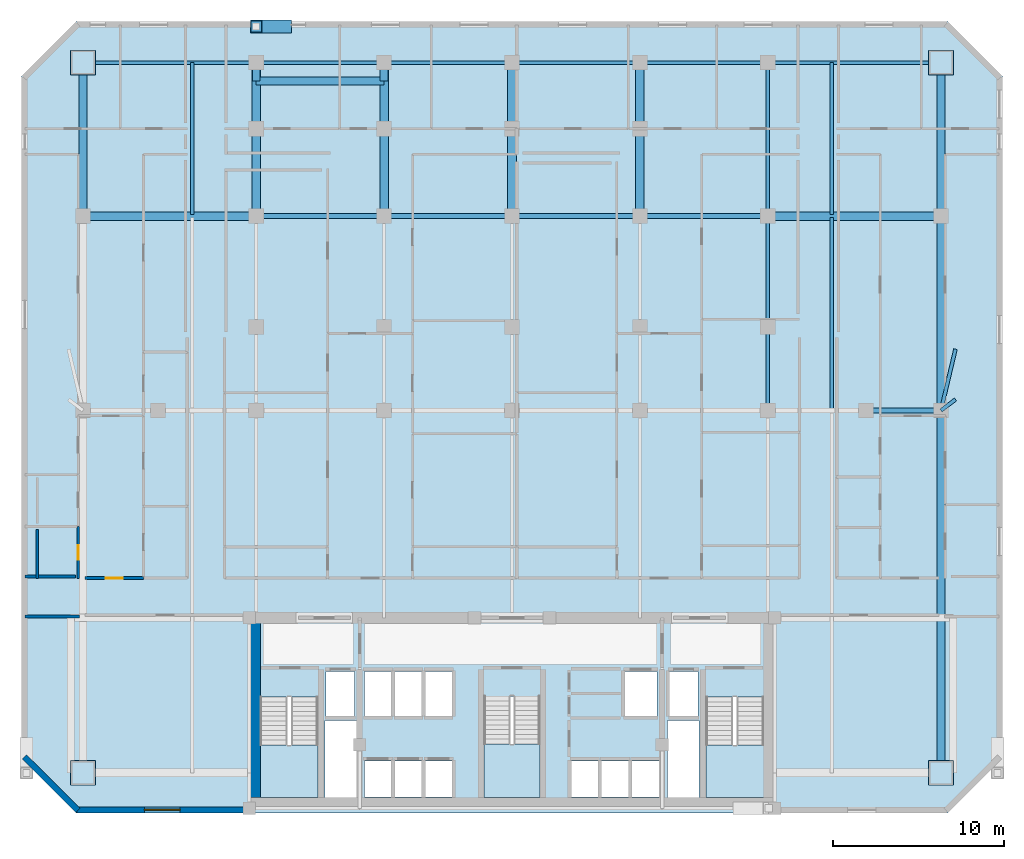
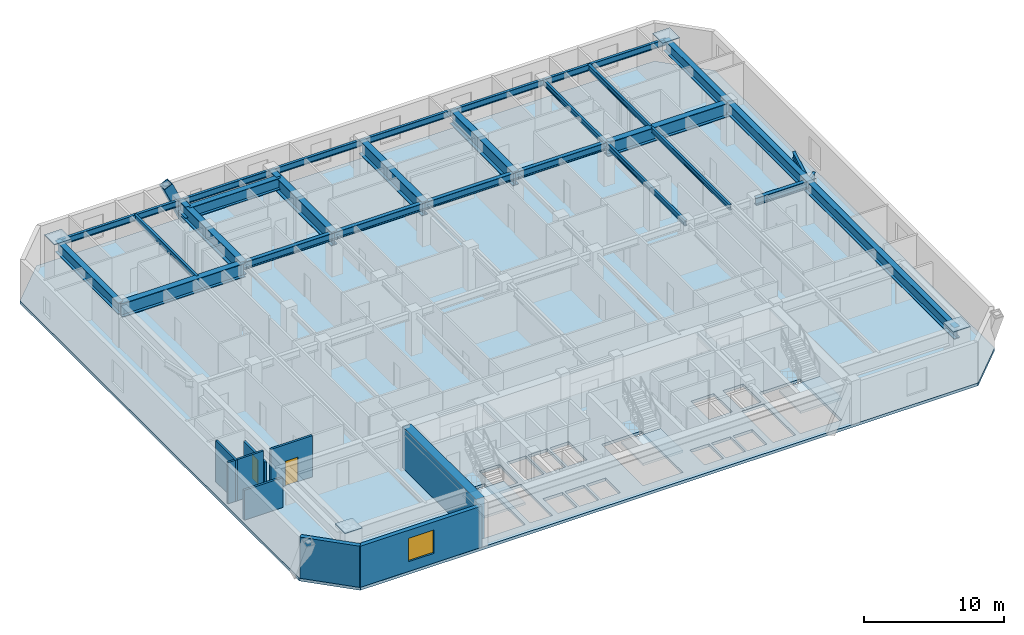
# One storey, part 2 of 10: 30 beams, 8 walls, 4 plates, 4 slabs, 2 doors, 1 member, 1 window, 3 openings, 3 elements without a shape of their own.
"""IFC4 building model written with IfcOpenShell, lengths in metres."""

from ifc_helpers import new_model, si_unit, direction, frame, frame_2d, origin, origin_2d, place, context, subcontext, project, spatial, polyline, rectangle, hollow_rectangle, i_section, outline, extrude, material, layer, layer_set, material_profile, profile_set, type_object, element, fill, aggregate, save


model = new_model("IFC4")

# Units and contexts
model_context = context("Model", 3, precision=1e-05, world=origin(), true_north=direction((0.0, 1.0)))
body_context = subcontext(model_context, "Body", "Model", "MODEL_VIEW")
ifc_project = project(units=[si_unit("LENGTHUNIT", "METRE"), si_unit("AREAUNIT", "SQUARE_METRE"), si_unit("VOLUMEUNIT", "CUBIC_METRE"), si_unit("PLANEANGLEUNIT", "RADIAN"), si_unit("MASSUNIT", "GRAM", prefix="KILO")], contexts=[model_context])

# Site, building, storey
site_placement = place(None, origin())
site = spatial("IfcSite", under=ifc_project, at=site_placement, CompositionType="ELEMENT")
building_placement = place(site_placement, origin())
building = spatial("IfcBuilding", under=site, at=building_placement, Name="Ventersveld Concourse Tower", CompositionType="ELEMENT")
storey_placement = place(building_placement, frame((0.0, 0.0, 88.75)))
storey = spatial("IfcBuildingStorey", under=building, at=storey_placement, Name="L21", CompositionType="ELEMENT", Elevation=88.75)

# Beams
ifc_material_1 = material(Name="Structural steel S355J2", Category="steel")
ifc_material_profile_1 = material_profile(ifc_material_1, i_section(OverallWidth=0.19140625, OverallDepth=0.4599609375, WebThickness=0.010009765625, FlangeThickness=0.01611328125, FilletRadius=0.01025390625, at=origin_2d()), Name="UB 457x191x82")
ifc_profile_set_1 = profile_set([ifc_material_profile_1], Name="Structural steel S355J2")
beam_type_1 = type_object("IfcBeamType", Name="BM-UB457H", PredefinedType="BEAM", material=ifc_profile_set_1)
beam_1_placement = place(storey_placement, frame((10.0, 35.094970703125, 3.3701171875), z_axis=(0.0, 1.0, 0.0), x_axis=(-1.0, 0.0, 0.0)))
element("IfcBeam", 1, at=beam_1_placement, inside=storey, type_object=beam_type_1, Name="L21 N-S Composite Floor Beam North X=10.00", PredefinedType="BEAM", context=body_context, shape_type="SweptSolid", body=[
    extrude(i_section(OverallWidth=0.19140625, OverallDepth=0.4599609375, WebThickness=0.010009765625, FlangeThickness=0.01611328125, FilletRadius=0.01025390625, at=origin_2d()), origin(), (0.0, 0.0, 1.0), 8.905029296875),
])
beam_2_placement = place(storey_placement, frame((43.75, 23.60009765625, 3.3701171875), z_axis=(0.0, 1.0, 0.0), x_axis=(-1.0, 0.0, 0.0)))
element("IfcBeam", 2, at=beam_2_placement, inside=storey, type_object=beam_type_1, Name="L21 N-S Composite Floor Beam Mid X=43.75", PredefinedType="BEAM", context=body_context, shape_type="SweptSolid", body=[
    extrude(i_section(OverallWidth=0.19140625, OverallDepth=0.4599609375, WebThickness=0.010009765625, FlangeThickness=0.01611328125, FilletRadius=0.01025390625, at=origin_2d()), origin(), (0.0, 0.0, 1.0), 11.39990234375),
])
beam_3_placement = place(storey_placement, frame((43.75, 35.0, 3.3701171875), z_axis=(0.0, 1.0, 0.0), x_axis=(-1.0, 0.0, 0.0)))
element("IfcBeam", 3, at=beam_3_placement, inside=storey, type_object=beam_type_1, Name="L21 N-S Composite Floor Beam North X=43.75", PredefinedType="BEAM", context=body_context, shape_type="SweptSolid", body=[
    extrude(i_section(OverallWidth=0.19140625, OverallDepth=0.4599609375, WebThickness=0.010009765625, FlangeThickness=0.01611328125, FilletRadius=0.01025390625, at=origin_2d()), origin(), (0.0, 0.0, 1.0), 9.0),
])
beam_4_placement = place(storey_placement, frame((47.5, 23.695068359375, 3.3701171875), z_axis=(0.0, 1.0, 0.0), x_axis=(-1.0, 0.0, 0.0)))
element("IfcBeam", 4, at=beam_4_placement, inside=storey, type_object=beam_type_1, Name="L21 N-S Composite Floor Beam Mid X=47.50", PredefinedType="BEAM", context=body_context, shape_type="SweptSolid", body=[
    extrude(i_section(OverallWidth=0.19140625, OverallDepth=0.4599609375, WebThickness=0.010009765625, FlangeThickness=0.01611328125, FilletRadius=0.01025390625, at=origin_2d()), origin(), (0.0, 0.0, 1.0), 11.2099609375),
])
beam_5_placement = place(storey_placement, frame((47.5, 35.094970703125, 3.3701171875), z_axis=(0.0, 1.0, 0.0), x_axis=(-1.0, 0.0, 0.0)))
element("IfcBeam", 5, at=beam_5_placement, inside=storey, type_object=beam_type_1, Name="L21 N-S Composite Floor Beam North X=47.50", PredefinedType="BEAM", context=body_context, shape_type="SweptSolid", body=[
    extrude(i_section(OverallWidth=0.19140625, OverallDepth=0.4599609375, WebThickness=0.010009765625, FlangeThickness=0.01611328125, FilletRadius=0.01025390625, at=origin_2d()), origin(), (0.0, 0.0, 1.0), 8.905029296875),
])
ifc_material_profile_2 = material_profile(ifc_material_1, i_section(OverallWidth=0.311279296875, OverallDepth=0.6357421875, WebThickness=0.018310546875, FlangeThickness=0.031494140625, FilletRadius=0.0166015625, at=origin_2d()), Name="UB 610x305x238")
ifc_profile_set_2 = profile_set([ifc_material_profile_2], Name="Structural steel S355J2")
beam_type_2 = type_object("IfcBeamType", Name="GRD-UB610H", PredefinedType="USERDEFINED", material=ifc_profile_set_2)
beam_6_placement = place(storey_placement, frame((49.5, 23.60009765625, 3.281982421875), z_axis=(1.0, 0.0, 0.0), x_axis=(0.0, 1.0, 0.0)))
element("IfcBeam", 6, at=beam_6_placement, inside=storey, type_object=beam_type_2, Name="L21 Primary E-W Grid Girder Y=23.60 #8", ObjectType="GIRDER", PredefinedType="USERDEFINED", context=body_context, shape_type="SweptSolid", body=[
    extrude(i_section(OverallWidth=0.311279296875, OverallDepth=0.6357421875, WebThickness=0.018310546875, FlangeThickness=0.031494140625, FilletRadius=0.0166015625, at=origin_2d()), origin(), (0.0, 0.0, 1.0), 4.39990234375),
])
for number, where, z_axis, x_axis, name in (
    (7, (13.75, 35.0, 3.281982421875), (1.0, 0.0, 0.0), (0.0, 1.0, 0.0), "L21 E-W Grid Girder Y=35.00 #2"),
    (8, (21.25, 35.0, 3.281982421875), (1.0, 0.0, 0.0), (0.0, 1.0, 0.0), "L21 E-W Grid Girder Y=35.00 #3"),
    (9, (28.75, 35.0, 3.281982421875), (1.0, 0.0, 0.0), (0.0, 1.0, 0.0), "L21 E-W Grid Girder Y=35.00 #4"),
    (10, (36.25, 35.0, 3.281982421875), (1.0, 0.0, 0.0), (0.0, 1.0, 0.0), "L21 E-W Grid Girder Y=35.00 #5"),
):
    element("IfcBeam", number, at=place(storey_placement, frame(where, z_axis=z_axis, x_axis=x_axis)), inside=storey, type_object=beam_type_2, Name=name, ObjectType="GIRDER", PredefinedType="USERDEFINED", context=body_context, shape_type="SweptSolid", body=[
        extrude(i_section(OverallWidth=0.311279296875, OverallDepth=0.6357421875, WebThickness=0.018310546875, FlangeThickness=0.031494140625, FilletRadius=0.0166015625, at=origin_2d()), origin(), (0.0, 0.0, 1.0), 7.5),
    ])

# Member
ifc_material_2 = material(Name="Structural steel S355ML", Category="steel")
ifc_material_profile_3 = material_profile(ifc_material_2, hollow_rectangle(XDim=0.75, YDim=0.75, WallThickness=0.044921875, at=origin_2d()), Name="BOX 750x750x45")
ifc_profile_set_3 = profile_set([ifc_material_profile_3], Name="Structural steel S355ML")
member_type = type_object("IfcMemberType", Name="MB-750x750", PredefinedType="BRACE", material=ifc_profile_set_3)
member_placement = place(storey_placement, frame((15.489501953125, 46.1201171875, -0.25), z_axis=(-0.411733807219, 0.0, 0.911304159978), x_axis=(0.0, -1.0, 0.0)))
element("IfcMember", 11, at=member_placement, inside=storey, type_object=member_type, Name="L21 Exterior Mega-Brace N (Module M04)", PredefinedType="BRACE", context=body_context, shape_type="SweptSolid", body=[
    extrude(hollow_rectangle(XDim=0.75, YDim=0.75, WallThickness=0.044921875, at=origin_2d()), origin(), (0.0, 0.0, 1.0), 4.224853515625),
])

# Beams
ifc_material_profile_4 = material_profile(ifc_material_1, i_section(OverallWidth=0.2119140625, OverallDepth=0.54443359375, WebThickness=0.0126953125, FlangeThickness=0.021240234375, FilletRadius=0.0126953125, at=origin_2d()), Name="UB 533x210x122")
ifc_profile_set_4 = profile_set([ifc_material_profile_4], Name="Structural steel S355J2")
beam_type_3 = type_object("IfcBeamType", Name="SPD-UB533", PredefinedType="SPANDREL", material=ifc_profile_set_4)
beam_7_placement = place(storey_placement, frame((53.89990234375, 23.60009765625, 3.32763671875), z_axis=(0.794435538643, 0.607348478997, 0.0), x_axis=(-0.607348478997, 0.794435538643, 0.0)))
element("IfcBeam", 12, at=beam_7_placement, inside=storey, type_object=beam_type_3, Name="L21 East Valley Corner Bracket 1", PredefinedType="SPANDREL", context=body_context, shape_type="SweptSolid", body=[
    extrude(i_section(OverallWidth=0.2119140625, OverallDepth=0.54443359375, WebThickness=0.0126953125, FlangeThickness=0.021240234375, FilletRadius=0.0126953125, at=origin_2d()), origin(), (0.0, 0.0, 1.0), 1.070068359375),
])
beam_8_placement = place(storey_placement, frame((53.89990234375, 23.60009765625, 3.32763671875), z_axis=(0.229826547993, 0.973231605445, 0.0), x_axis=(-0.973231605445, 0.229826547993, 0.0)))
element("IfcBeam", 13, at=beam_8_placement, inside=storey, type_object=beam_type_3, Name="L21 East Valley Corner Bracket 2", PredefinedType="SPANDREL", context=body_context, shape_type="SweptSolid", body=[
    extrude(i_section(OverallWidth=0.2119140625, OverallDepth=0.54443359375, WebThickness=0.0126953125, FlangeThickness=0.021240234375, FilletRadius=0.0126953125, at=origin_2d()), origin(), (0.0, 0.0, 1.0), 3.698974609375),
])
beam_9_placement = place(storey_placement, frame((3.60009765625, 44.0, 3.32763671875), z_axis=(1.0, 0.0, 0.0), x_axis=(0.0, 1.0, 0.0)))
element("IfcBeam", 14, at=beam_9_placement, inside=storey, type_object=beam_type_3, Name="L21 North Spandrel Girder Y=44.00 #1", PredefinedType="SPANDREL", context=body_context, shape_type="SweptSolid", body=[
    extrude(i_section(OverallWidth=0.2119140625, OverallDepth=0.54443359375, WebThickness=0.0126953125, FlangeThickness=0.021240234375, FilletRadius=0.0126953125, at=origin_2d()), origin(), (0.0, 0.0, 1.0), 10.14990234375),
])
for number, where, z_axis, x_axis, name in (
    (15, (13.75, 44.0, 3.32763671875), (1.0, 0.0, 0.0), (0.0, 1.0, 0.0), "L21 North Spandrel Girder Y=44.00 #2"),
    (16, (21.25, 44.0, 3.32763671875), (1.0, 0.0, 0.0), (0.0, 1.0, 0.0), "L21 North Spandrel Girder Y=44.00 #3"),
    (17, (28.75, 44.0, 3.32763671875), (1.0, 0.0, 0.0), (0.0, 1.0, 0.0), "L21 North Spandrel Girder Y=44.00 #4"),
    (18, (36.25, 44.0, 3.32763671875), (1.0, 0.0, 0.0), (0.0, 1.0, 0.0), "L21 North Spandrel Girder Y=44.00 #5"),
):
    element("IfcBeam", number, at=place(storey_placement, frame(where, z_axis=z_axis, x_axis=x_axis)), inside=storey, type_object=beam_type_3, Name=name, PredefinedType="SPANDREL", context=body_context, shape_type="SweptSolid", body=[
        extrude(i_section(OverallWidth=0.2119140625, OverallDepth=0.54443359375, WebThickness=0.0126953125, FlangeThickness=0.021240234375, FilletRadius=0.0126953125, at=origin_2d()), origin(), (0.0, 0.0, 1.0), 7.5),
    ])
beam_10_placement = place(storey_placement, frame((43.75, 44.0, 3.32763671875), z_axis=(1.0, 0.0, 0.0), x_axis=(0.0, 1.0, 0.0)))
element("IfcBeam", 19, at=beam_10_placement, inside=storey, type_object=beam_type_3, Name="L21 North Spandrel Girder Y=44.00 #6", PredefinedType="SPANDREL", context=body_context, shape_type="SweptSolid", body=[
    extrude(i_section(OverallWidth=0.2119140625, OverallDepth=0.54443359375, WebThickness=0.0126953125, FlangeThickness=0.021240234375, FilletRadius=0.0126953125, at=origin_2d()), origin(), (0.0, 0.0, 1.0), 10.14990234375),
])
ifc_material_3 = material(Name="Structural steel S460ML", Category="steel")
ifc_material_profile_5 = material_profile(ifc_material_3, i_section(OverallWidth=0.449951171875, OverallDepth=1.0, WebThickness=0.02392578125, FlangeThickness=0.0400390625, at=origin_2d()), Name="PG 1000x450x40")
ifc_profile_set_5 = profile_set([ifc_material_profile_5], Name="Structural steel S460ML")
beam_type_4 = type_object("IfcBeamType", Name="TG-PG1000", PredefinedType="USERDEFINED", material=ifc_profile_set_5)
beam_11_placement = place(storey_placement, frame((3.60009765625, 35.0, 3.10009765625), z_axis=(0.0, 1.0, 0.0), x_axis=(-1.0, 0.0, 0.0)))
element("IfcBeam", 20, at=beam_11_placement, inside=storey, type_object=beam_type_4, Name="L21 West Edge Support Girder N", ObjectType="TRANSFER_GIRDER", PredefinedType="USERDEFINED", context=body_context, shape_type="SweptSolid", body=[
    extrude(i_section(OverallWidth=0.449951171875, OverallDepth=1.0, WebThickness=0.02392578125, FlangeThickness=0.0400390625, at=origin_2d()), origin(), (0.0, 0.0, 1.0), 9.0),
])
beam_12_placement = place(storey_placement, frame((53.89990234375, 2.35009765625, 3.10009765625), z_axis=(0.0, 1.0, 0.0), x_axis=(-1.0, 0.0, 0.0)))
element("IfcBeam", 21, at=beam_12_placement, inside=storey, type_object=beam_type_4, Name="L21 East Edge Support Girder S", ObjectType="TRANSFER_GIRDER", PredefinedType="USERDEFINED", context=body_context, shape_type="SweptSolid", body=[
    extrude(i_section(OverallWidth=0.449951171875, OverallDepth=1.0, WebThickness=0.02392578125, FlangeThickness=0.0400390625, at=origin_2d()), origin(), (0.0, 0.0, 1.0), 32.64990234375),
])
beam_13_placement = place(storey_placement, frame((53.89990234375, 35.0, 3.10009765625), z_axis=(0.0, 1.0, 0.0), x_axis=(-1.0, 0.0, 0.0)))
element("IfcBeam", 22, at=beam_13_placement, inside=storey, type_object=beam_type_4, Name="L21 East Edge Support Girder N", ObjectType="TRANSFER_GIRDER", PredefinedType="USERDEFINED", context=body_context, shape_type="SweptSolid", body=[
    extrude(i_section(OverallWidth=0.449951171875, OverallDepth=1.0, WebThickness=0.02392578125, FlangeThickness=0.0400390625, at=origin_2d()), origin(), (0.0, 0.0, 1.0), 9.0),
])
for number, where, z_axis, x_axis, name in (
    (23, (13.75, 44.0, 3.10009765625), (0.0, -1.0, 0.0), (1.0, 0.0, 0.0), "L21 North Perimeter Setback Tie 1"),
    (24, (21.25, 44.0, 3.10009765625), (0.0, -1.0, 0.0), (1.0, 0.0, 0.0), "L21 North Perimeter Setback Tie 2"),
):
    element("IfcBeam", number, at=place(storey_placement, frame(where, z_axis=z_axis, x_axis=x_axis)), inside=storey, type_object=beam_type_4, Name=name, ObjectType="TRANSFER_GIRDER", PredefinedType="USERDEFINED", context=body_context, shape_type="SweptSolid", body=[
        extrude(i_section(OverallWidth=0.449951171875, OverallDepth=1.0, WebThickness=0.02392578125, FlangeThickness=0.0400390625, at=origin_2d()), origin(), (0.0, 0.0, 1.0), 1.080078125),
    ])
beam_14_placement = place(storey_placement, frame((13.75, 42.919921875, 3.10009765625), z_axis=(1.0, 0.0, 0.0), x_axis=(0.0, 1.0, 0.0)))
element("IfcBeam", 25, at=beam_14_placement, inside=storey, type_object=beam_type_4, Name="L21 North Perimeter Setback Girder", ObjectType="TRANSFER_GIRDER", PredefinedType="USERDEFINED", context=body_context, shape_type="SweptSolid", body=[
    extrude(i_section(OverallWidth=0.449951171875, OverallDepth=1.0, WebThickness=0.02392578125, FlangeThickness=0.0400390625, at=origin_2d()), origin(), (0.0, 0.0, 1.0), 7.5),
])
ifc_material_profile_6 = material_profile(ifc_material_3, i_section(OverallWidth=0.5, OverallDepth=1.199951171875, WebThickness=0.028076171875, FlangeThickness=0.044921875, at=origin_2d()), Name="PG 1200x500x45")
ifc_profile_set_6 = profile_set([ifc_material_profile_6], Name="Structural steel S460ML")
beam_type_5 = type_object("IfcBeamType", Name="TG-PG1200", PredefinedType="USERDEFINED", material=ifc_profile_set_6)
for number, where, z_axis, x_axis, name in (
    (26, (3.60009765625, 35.0, 3.0), (1.0, 0.0, 0.0), (0.0, 1.0, 0.0), "L21 NW Mega-Column Transfer Girder"),
    (27, (43.75, 35.0, 3.0), (1.0, 0.0, 0.0), (0.0, 1.0, 0.0), "L21 NE Mega-Column Transfer Girder"),
):
    element("IfcBeam", number, at=place(storey_placement, frame(where, z_axis=z_axis, x_axis=x_axis)), inside=storey, type_object=beam_type_5, Name=name, ObjectType="TRANSFER_GIRDER", PredefinedType="USERDEFINED", context=body_context, shape_type="SweptSolid", body=[
        extrude(i_section(OverallWidth=0.5, OverallDepth=1.199951171875, WebThickness=0.028076171875, FlangeThickness=0.044921875, at=origin_2d()), origin(), (0.0, 0.0, 1.0), 10.14990234375),
    ])
for number, where, z_axis, x_axis, name in (
    (28, (13.75, 35.0, 3.0), (0.0, 1.0, 0.0), (-1.0, 0.0, 0.0), "L21 North Setback Column Transfer X=13.75"),
    (29, (21.25, 35.0, 3.0), (0.0, 1.0, 0.0), (-1.0, 0.0, 0.0), "L21 North Setback Column Transfer X=21.25"),
    (30, (28.75, 35.0, 3.0), (0.0, 1.0, 0.0), (-1.0, 0.0, 0.0), "L21 North Setback Column Transfer X=28.75"),
    (31, (36.25, 35.0, 3.0), (0.0, 1.0, 0.0), (-1.0, 0.0, 0.0), "L21 North Setback Column Transfer X=36.25"),
):
    element("IfcBeam", number, at=place(storey_placement, frame(where, z_axis=z_axis, x_axis=x_axis)), inside=storey, type_object=beam_type_5, Name=name, ObjectType="TRANSFER_GIRDER", PredefinedType="USERDEFINED", context=body_context, shape_type="SweptSolid", body=[
        extrude(i_section(OverallWidth=0.5, OverallDepth=1.199951171875, WebThickness=0.028076171875, FlangeThickness=0.044921875, at=origin_2d()), origin(), (0.0, 0.0, 1.0), 9.0),
    ])

# Plates
ifc_layer_1 = layer(ifc_material_1, 0.050048828125)
ifc_layer_set_1 = layer_set([ifc_layer_1], Name="Structural steel S355J2")
plate_type = type_object("IfcPlateType", Name="PL-MAST-BASE-50", PredefinedType="USERDEFINED", material=ifc_layer_set_1)
for number, where, z_axis, x_axis, name in (
    (32, (3.60009765625, 2.35009765625, 3.7998046875), (0.0, 0.0, 1.0), (1.0, 0.0, 0.0), "L21 Hollow Column Steel End Cap Plate 019"),
    (33, (53.89990234375, 2.35009765625, 3.7998046875), (0.0, 0.0, 1.0), (1.0, 0.0, 0.0), "L21 Hollow Column Steel End Cap Plate 020"),
    (34, (53.89990234375, 44.0, 3.7998046875), (0.0, 0.0, 1.0), (1.0, 0.0, 0.0), "L21 Hollow Column Steel End Cap Plate 021"),
    (35, (3.60009765625, 44.0, 3.7998046875), (0.0, 0.0, 1.0), (1.0, 0.0, 0.0), "L21 Hollow Column Steel End Cap Plate 022"),
):
    element("IfcPlate", number, at=place(storey_placement, frame(where, z_axis=z_axis, x_axis=x_axis)), inside=storey, type_object=plate_type, Name=name, ObjectType="GUSSET_PLATE", PredefinedType="USERDEFINED", context=body_context, shape_type="SweptSolid", body=[
        extrude(rectangle(XDim=1.43994140625, YDim=1.43994140625, at=origin_2d()), origin(), (0.0, 0.0, 1.0), 0.050048828125),
    ])

# Slab
ifc_material_4 = material(Name="Concrete C50/60", Category="concrete")
ifc_layer_2 = layer(ifc_material_4, 0.25)
ifc_layer_set_2 = layer_set([ifc_layer_2], Name="Concrete C50/60")
slab_type_1 = type_object("IfcSlabType", Name="SL-FLR-250", PredefinedType="FLOOR", material=ifc_layer_set_2)
slab_1_placement = place(storey_placement, frame((0.0, 0.0, -0.25)))
element("IfcSlab", 36, at=slab_1_placement, inside=storey, type_object=slab_type_1, Name="L21 Composite Floor Slab", PredefinedType="FLOOR", context=body_context, shape_type="SweptSolid", body=[
    extrude(outline(polyline([(3.199951171875, 0.0), (54.300048828125, 0.0), (57.5, 3.199951171875), (57.5, 43.199951171875), (54.300048828125, 46.39990234375), (3.199951171875, 46.39990234375), (0.0, 43.199951171875), (0.0, 3.199951171875), (3.199951171875, 0.0)]), holes=[polyline([(13.97998046875, 6.794921875), (13.97998046875, 0.89990234375), (17.3798828125, 0.89990234375), (17.3798828125, 6.794921875), (13.97998046875, 6.794921875)]), polyline([(40.1201171875, 6.794921875), (40.1201171875, 0.89990234375), (43.52001953125, 0.89990234375), (43.52001953125, 6.794921875), (40.1201171875, 6.794921875)]), polyline([(27.10009765625, 6.844970703125), (27.10009765625, 0.89990234375), (30.39990234375, 0.89990234375), (30.39990234375, 6.844970703125), (27.10009765625, 6.844970703125)]), polyline([(17.85009765625, 5.699951171875), (19.530029296875, 5.699951171875), (19.530029296875, 8.300048828125), (17.85009765625, 8.300048828125), (17.85009765625, 5.699951171875)]), polyline([(37.969970703125, 5.699951171875), (39.64990234375, 5.699951171875), (39.64990234375, 8.300048828125), (37.969970703125, 8.300048828125), (37.969970703125, 5.699951171875)]), polyline([(35.35009765625, 5.699951171875), (37.25, 5.699951171875), (37.25, 8.300048828125), (35.35009765625, 8.300048828125), (35.35009765625, 5.699951171875)]), polyline([(20.090087890625, 0.949951171875), (21.68994140625, 0.949951171875), (21.68994140625, 3.050048828125), (20.090087890625, 3.050048828125), (20.090087890625, 0.949951171875)]), polyline([(21.8701171875, 0.949951171875), (23.469970703125, 0.949951171875), (23.469970703125, 3.050048828125), (21.8701171875, 3.050048828125), (21.8701171875, 0.949951171875)]), polyline([(23.64990234375, 0.949951171875), (25.25, 0.949951171875), (25.25, 3.050048828125), (23.64990234375, 3.050048828125), (23.64990234375, 0.949951171875)]), polyline([(32.2099609375, 0.949951171875), (33.81005859375, 0.949951171875), (33.81005859375, 3.050048828125), (32.2099609375, 3.050048828125), (32.2099609375, 0.949951171875)]), polyline([(33.989990234375, 0.949951171875), (35.590087890625, 0.949951171875), (35.590087890625, 3.050048828125), (33.989990234375, 3.050048828125), (33.989990234375, 0.949951171875)]), polyline([(35.77001953125, 0.949951171875), (37.3701171875, 0.949951171875), (37.3701171875, 3.050048828125), (35.77001953125, 3.050048828125), (35.77001953125, 0.949951171875)]), polyline([(20.090087890625, 5.699951171875), (21.68994140625, 5.699951171875), (21.68994140625, 8.300048828125), (20.090087890625, 8.300048828125), (20.090087890625, 5.699951171875)]), polyline([(21.8701171875, 5.699951171875), (23.469970703125, 5.699951171875), (23.469970703125, 8.300048828125), (21.8701171875, 8.300048828125), (21.8701171875, 5.699951171875)]), polyline([(23.64990234375, 5.699951171875), (25.25, 5.699951171875), (25.25, 8.300048828125), (23.64990234375, 8.300048828125), (23.64990234375, 5.699951171875)]), polyline([(17.780029296875, 0.919921875), (19.6201171875, 0.919921875), (19.6201171875, 5.419921875), (17.780029296875, 5.419921875), (17.780029296875, 0.919921875)]), polyline([(37.8798828125, 0.919921875), (39.719970703125, 0.919921875), (39.719970703125, 5.419921875), (37.8798828125, 5.419921875), (37.8798828125, 0.919921875)])]), origin(), (0.0, 0.0, 1.0), 0.25),
])

# Stair, slab
stair_type_1 = type_object("IfcStairType", Name="ST-DOG-160", PredefinedType="HALF_TURN_STAIR", material=ifc_material_4)
stair_1_placement = place(storey_placement, origin())
stair_1 = element("IfcStair", 37, at=stair_1_placement, inside=storey, type_object=stair_type_1, Name="L21 Protected Tower Escape Stair ST-01", PredefinedType="HALF_TURN_STAIR")
ifc_layer_3 = layer(ifc_material_4, 0.199951171875)
ifc_layer_set_3 = layer_set([ifc_layer_3], Name="Concrete C50/60")
slab_type_2 = type_object("IfcSlabType", Name="SL-LND-200", PredefinedType="LANDING", material=ifc_layer_set_3)
slab_2_placement = place(storey_placement, frame((0.0, 0.0, 1.72509765625)))
slab_2 = element("IfcSlab", 38, at=slab_2_placement, type_object=slab_type_2, Name="ST-01 landing 1", PredefinedType="LANDING", context=body_context, shape_type="SweptSolid", body=[
    extrude(outline(polyline([(13.97998046875, 4.0), (13.97998046875, 0.89990234375), (17.3798828125, 0.89990234375), (17.3798828125, 4.0), (13.97998046875, 4.0)])), origin(), (0.0, 0.0, 1.0), 0.199951171875),
])
aggregate(stair_1, [slab_2])

stair_2_placement = place(storey_placement, origin())
stair_2 = element("IfcStair", 39, at=stair_2_placement, inside=storey, type_object=stair_type_1, Name="L21 Protected Tower Escape Stair ST-02", PredefinedType="HALF_TURN_STAIR")
slab_3_placement = place(storey_placement, frame((0.0, 0.0, 1.72509765625)))
slab_3 = element("IfcSlab", 40, at=slab_3_placement, type_object=slab_type_2, Name="ST-02 landing 1", PredefinedType="LANDING", context=body_context, shape_type="SweptSolid", body=[
    extrude(outline(polyline([(40.1201171875, 4.0), (40.1201171875, 0.89990234375), (43.52001953125, 0.89990234375), (43.52001953125, 4.0), (40.1201171875, 4.0)])), origin(), (0.0, 0.0, 1.0), 0.199951171875),
])
aggregate(stair_2, [slab_3])

stair_type_2 = type_object("IfcStairType", Name="ST-DOG-155", PredefinedType="HALF_TURN_STAIR", material=ifc_material_4)
stair_3_placement = place(storey_placement, origin())
stair_3 = element("IfcStair", 41, at=stair_3_placement, inside=storey, type_object=stair_type_2, Name="L21 Protected Central Core Escape Stair ST-03", PredefinedType="HALF_TURN_STAIR")
slab_4_placement = place(storey_placement, frame((0.0, 0.0, 1.72509765625)))
slab_4 = element("IfcSlab", 42, at=slab_4_placement, type_object=slab_type_2, Name="ST-03 landing 1", PredefinedType="LANDING", context=body_context, shape_type="SweptSolid", body=[
    extrude(outline(polyline([(27.10009765625, 4.050048828125), (27.10009765625, 0.89990234375), (30.39990234375, 0.89990234375), (30.39990234375, 4.050048828125), (27.10009765625, 4.050048828125)])), origin(), (0.0, 0.0, 1.0), 0.199951171875),
])
aggregate(stair_3, [slab_4])

# Wall
ifc_material_5 = material(Name="Concrete C60/75", Category="concrete")
ifc_layer_4 = layer(ifc_material_5, 0.699951171875)
ifc_layer_set_4 = layer_set([ifc_layer_4], Name="Concrete C60/75")
wall_type_1 = type_object("IfcWallType", Name="WL-CORE-700", PredefinedType="SHEAR", material=ifc_layer_set_4)
wall_1_placement = place(storey_placement, frame((13.64990234375, 0.919921875, 0.0), z_axis=(0.0, 0.0, 1.0), x_axis=(0.0, 1.0, 0.0)))
element("IfcWall", 43, at=wall_1_placement, inside=storey, type_object=wall_type_1, Name="L21 Rear Core West Shear Wall", PredefinedType="SHEAR", context=body_context, shape_type="SweptSolid", body=[
    extrude(rectangle(XDim=10.530029296875, YDim=0.699951171875, at=frame_2d((5.26513671875, 0.0))), origin(), (0.0, 0.0, 1.0), 3.60009765625),
])

# Wall, opening, door
ifc_material_6 = material(Name="Fire-rated autoclaved aerated masonry blockwork", Category="masonry")
ifc_layer_5 = layer(ifc_material_6, 0.179931640625)
ifc_layer_set_5 = layer_set([ifc_layer_5], Name="Fire-rated autoclaved aerated masonry blockwork")
wall_type_2 = type_object("IfcWallType", Name="WL-CORR-180", PredefinedType="PARTITIONING", material=ifc_layer_set_5)
wall_2_placement = place(storey_placement, frame((3.705078125, 13.77001953125, 0.0), z_axis=(0.0, 0.0, 1.0), x_axis=(1.0, 0.0, 0.0)))
wall_2 = element("IfcWall", 44, at=wall_2_placement, inside=storey, type_object=wall_type_2, Name="L21 Interior Partition SP-L21-COR-SP-L21-21NW-FOY", PredefinedType="PARTITIONING", context=body_context, shape_type="SweptSolid", body=[
    extrude(rectangle(XDim=3.44482421875, YDim=0.179931640625, at=frame_2d((1.722412109375, 0.0))), origin(), (0.0, 0.0, 1.0), 3.60009765625),
])
opening_1_placement = place(wall_2_placement, frame((1.222412109375, 0.0, 0.0)))
opening_1 = element("IfcOpeningElement", 45, at=opening_1_placement, cuts=wall_2, Name="Opening FD3", PredefinedType="OPENING", context=body_context, shape_type="SweptSolid", body=[
    extrude(rectangle(XDim=1.0, YDim=2.14990234375, at=frame_2d((0.5, 1.074951171875))), frame((0.0, 0.10009765625, 0.0), z_axis=(0.0, -1.0, 0.0), x_axis=(1.0, 0.0, 0.0)), (0.0, 0.0, 1.0), 0.199951171875),
])
ifc_material_7 = material(Name="Solid-core hardwood veneer timber", Category="wood")
door_type_1 = type_object("IfcDoorType", Name="DR-FLAT-100", OperationType="NOTDEFINED", PredefinedType="DOOR", material=ifc_material_7)
door_1_placement = place(opening_1_placement, origin())
door_1 = element("IfcDoor", 46, at=door_1_placement, inside=storey, type_object=door_type_1, Name="L21 Interior Door SP-L21-COR to SP-L21-21NW-FOY (FD-L21-1010)", OperationType="SINGLE_SWING_RIGHT", OverallHeight=2.14990234375, OverallWidth=1.0, PredefinedType="DOOR", context=body_context, shape_type="SweptSolid", body=[
    extrude(rectangle(XDim=1.0, YDim=2.14990234375, at=frame_2d((0.5, 1.074951171875))), frame((0.0, 0.02490234375, 0.0), z_axis=(0.0, -1.0, 0.0), x_axis=(1.0, 0.0, 0.0)), (0.0, 0.0, 1.0), 0.050048828125),
])
fill(opening_1, door_1)

# Wall
wall_3_placement = place(storey_placement, frame((0.2099609375, 11.52001953125, 0.0), z_axis=(0.0, 0.0, 1.0), x_axis=(1.0, 0.0, 0.0)))
element("IfcWall", 47, at=wall_3_placement, inside=storey, type_object=wall_type_2, Name="L21 Room Enclosure Wall SP-L21-SW-GAL", PredefinedType="PARTITIONING", context=body_context, shape_type="SweptSolid", body=[
    extrude(rectangle(XDim=3.177734375, YDim=0.179931640625, at=frame_2d((1.5888671875, 0.0))), origin(), (0.0, 0.0, 1.0), 2.60009765625),
])

# Wall, opening, window
ifc_material_8 = material(Name="Precast concrete C45/55", Category="concrete")
ifc_layer_6 = layer(ifc_material_8, 0.35009765625)
ifc_layer_set_6 = layer_set([ifc_layer_6], Name="Precast concrete C45/55")
wall_type_3 = type_object("IfcWallType", Name="WL-PREC-350", PredefinedType="SOLIDWALL", material=ifc_layer_set_6)
wall_4_placement = place(storey_placement, frame((3.239990234375, 0.179931640625, 0.0), z_axis=(0.0, 0.0, 1.0), x_axis=(1.0, 0.0, 0.0)))
wall_4 = element("IfcWall", 48, at=wall_4_placement, inside=storey, type_object=wall_type_3, Name="L21 South-West Flank Precast Wall", PredefinedType="SOLIDWALL", context=body_context, shape_type="SweptSolid", body=[
    extrude(rectangle(XDim=10.010009765625, YDim=0.35009765625, at=frame_2d((5.0048828125, 0.0))), origin(), (0.0, 0.0, 1.0), 3.60009765625),
])
opening_2_placement = place(wall_4_placement, frame((3.955078125, 0.0, 0.85009765625)))
opening_2 = element("IfcOpeningElement", 49, at=opening_2_placement, cuts=wall_4, Name="Opening W7", PredefinedType="OPENING", context=body_context, shape_type="SweptSolid", body=[
    extrude(rectangle(XDim=2.10009765625, YDim=2.050048828125, at=frame_2d((1.050048828125, 1.02490234375))), frame((0.0, 0.18505859375, 0.0), z_axis=(0.0, -1.0, 0.0), x_axis=(1.0, 0.0, 0.0)), (0.0, 0.0, 1.0), 0.3701171875),
])
ifc_material_9 = material(Name="Tempered acoustic Low-E IGU", Category="glass")
window_type = type_object("IfcWindowType", Name="WIN-210x205", PartitioningType="SINGLE_PANEL", PredefinedType="WINDOW", material=ifc_material_9)
window_placement = place(opening_2_placement, origin())
window = element("IfcWindow", 50, at=window_placement, inside=storey, type_object=window_type, Name="L21 Punched Low-E Window W-0224", OverallHeight=2.050048828125, OverallWidth=2.10009765625, PartitioningType="SINGLE_PANEL", PredefinedType="WINDOW", context=body_context, shape_type="SweptSolid", body=[
    extrude(rectangle(XDim=2.10009765625, YDim=2.050048828125, at=frame_2d((1.050048828125, 1.02490234375))), frame((0.0, 0.030029296875, 0.0), z_axis=(0.0, -1.0, 0.0), x_axis=(1.0, 0.0, 0.0)), (0.0, 0.0, 1.0), 0.06005859375),
])
fill(opening_2, window)

# Wall
wall_5_placement = place(storey_placement, frame((0.152099609375, 3.29541015625, 0.0), z_axis=(0.0, 0.0, 1.0), x_axis=(0.707106781187, -0.707106781187, 0.0)))
element("IfcWall", 51, at=wall_5_placement, inside=storey, type_object=wall_type_3, Name="L21 Highveld Precast Facade Wall E08", PredefinedType="SOLIDWALL", context=body_context, shape_type="SweptSolid", body=[
    extrude(rectangle(XDim=4.4453125, YDim=0.35009765625, at=frame_2d((2.22265625, 0.0))), origin(), (0.0, 0.0, 1.0), 3.60009765625),
])

# Wall, opening, door
ifc_material_10 = material(Name="Autoclaved aerated masonry blockwork", Category="masonry")
ifc_layer_7 = layer(ifc_material_10, 0.1650390625)
ifc_layer_set_7 = layer_set([ifc_layer_7], Name="Autoclaved aerated masonry blockwork")
wall_type_4 = type_object("IfcWallType", Name="WL-WET-165", PredefinedType="PLUMBINGWALL", material=ifc_layer_set_7)
wall_6_placement = place(storey_placement, frame((3.32275390625, 13.764892578125, 0.0), z_axis=(0.0, 0.0, 1.0), x_axis=(0.0, 1.0, 0.0)))
wall_6 = element("IfcWall", 52, at=wall_6_placement, inside=storey, type_object=wall_type_4, Name="L21 Interior Partition SP-L21-21NW-FOY-SP-L21-21NW-BATH", PredefinedType="PLUMBINGWALL", context=body_context, shape_type="SweptSolid", body=[
    extrude(rectangle(XDim=3.043701171875, YDim=0.1650390625, at=frame_2d((1.52197265625, 0.0))), origin(), (0.0, 0.0, 1.0), 2.60009765625),
])
opening_3_placement = place(wall_6_placement, frame((1.096923828125, 0.0, 0.0)))
opening_3 = element("IfcOpeningElement", 53, at=opening_3_placement, cuts=wall_6, Name="Opening ID2", PredefinedType="OPENING", context=body_context, shape_type="SweptSolid", body=[
    extrude(rectangle(XDim=0.85009765625, YDim=2.10009765625, at=frame_2d((0.425048828125, 1.050048828125))), frame((0.0, 0.092529296875, 0.0), z_axis=(0.0, -1.0, 0.0), x_axis=(1.0, 0.0, 0.0)), (0.0, 0.0, 1.0), 0.18505859375),
])
door_type_2 = type_object("IfcDoorType", Name="DR-BATH-085", OperationType="NOTDEFINED", PredefinedType="DOOR", material=ifc_material_7)
door_2_placement = place(opening_3_placement, origin())
door_2 = element("IfcDoor", 54, at=door_2_placement, inside=storey, type_object=door_type_2, Name="L21 Interior Door SP-L21-21NW-FOY to SP-L21-21NW-BATH (D-L21-1015)", OperationType="SINGLE_SWING_LEFT", OverallHeight=2.10009765625, OverallWidth=0.85009765625, PredefinedType="DOOR", context=body_context, shape_type="SweptSolid", body=[
    extrude(rectangle(XDim=0.85009765625, YDim=2.10009765625, at=frame_2d((0.425048828125, 1.050048828125))), frame((0.0, 0.02490234375, 0.0), z_axis=(0.0, -1.0, 0.0), x_axis=(1.0, 0.0, 0.0)), (0.0, 0.0, 1.0), 0.050048828125),
])
fill(opening_3, door_2)

# Walls
wall_7_placement = place(storey_placement, frame((3.15771484375, 13.860107421875, 0.0), z_axis=(0.0, 0.0, 1.0), x_axis=(-1.0, 0.0, 0.0)))
element("IfcWall", 55, at=wall_7_placement, inside=storey, type_object=wall_type_4, Name="L21 Room Enclosure Wall SP-L21-21NW-BATH", PredefinedType="PLUMBINGWALL", context=body_context, shape_type="SweptSolid", body=[
    extrude(rectangle(XDim=2.94775390625, YDim=0.1650390625, at=frame_2d((1.473876953125, 0.0))), origin(), (0.0, 0.0, 1.0), 3.60009765625),
])
wall_8_placement = place(storey_placement, frame((0.919921875, 13.764892578125, 0.0), z_axis=(0.0, 0.0, 1.0), x_axis=(0.0, 1.0, 0.0)))
element("IfcWall", 56, at=wall_8_placement, inside=storey, type_object=wall_type_4, Name="L21 Room Enclosure Wall SP-L21-21NW-BATH", PredefinedType="PLUMBINGWALL", context=body_context, shape_type="SweptSolid", body=[
    extrude(rectangle(XDim=2.873779296875, YDim=0.1650390625, at=frame_2d((1.43701171875, 0.0))), origin(), (0.0, 0.0, 1.0), 3.60009765625),
])

save(model, "model.ifc")
